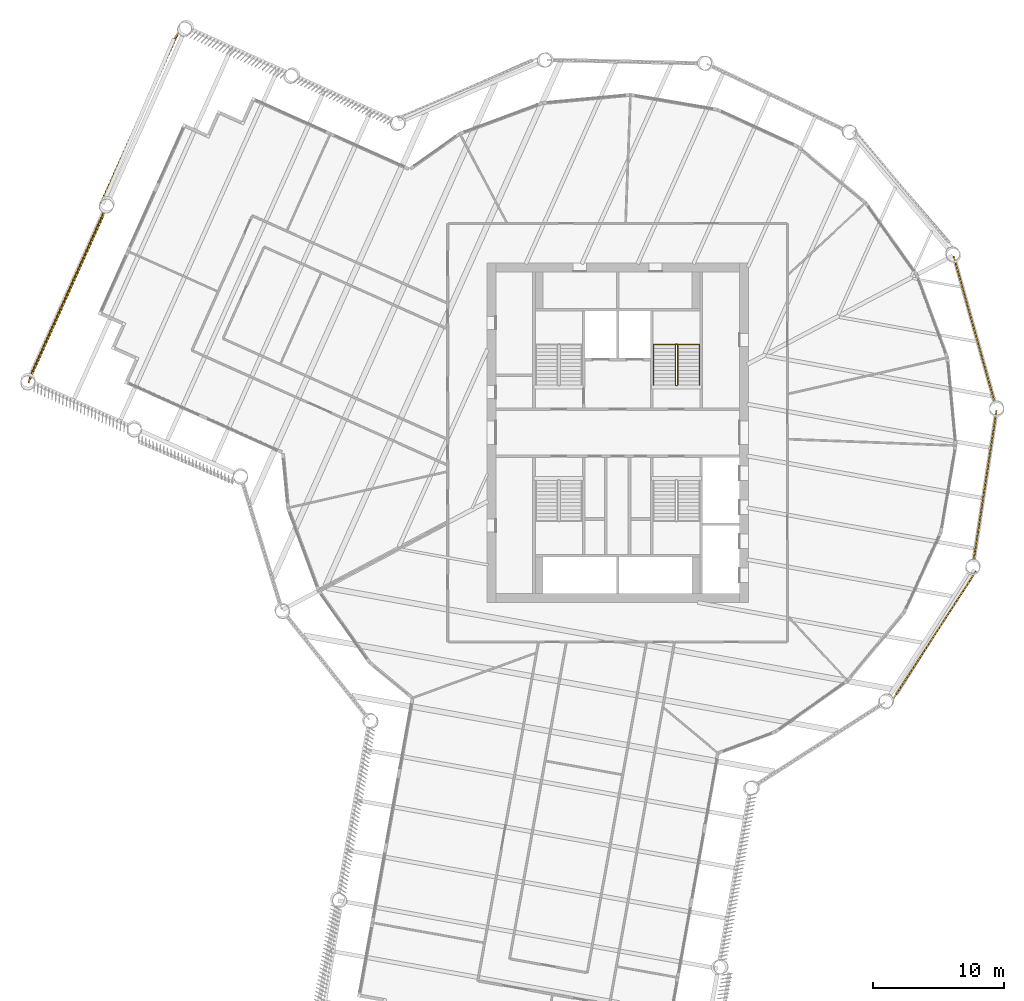
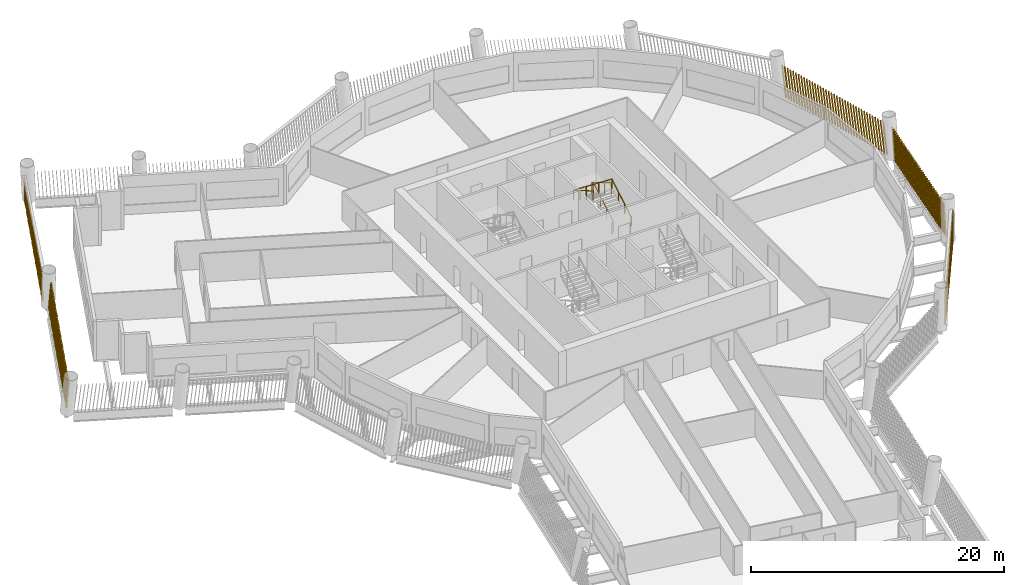
# One storey, part 12 of 14: 5 shading devices, 2 railings.
"""IFC4 building model written with IfcOpenShell, lengths in metres."""

from ifc_helpers import new_model, si_unit, direction, frame, frame_2d, origin, origin_2d, place, context, subcontext, project, spatial, rectangle, circle, composite_profile, extrude, material, type_object, element, save


model = new_model("IFC4")

# Units and contexts
model_context = context("Model", 3, precision=1e-05, world=origin(), true_north=direction((0.0, 1.0)))
body_context = subcontext(model_context, "Body", "Model", "MODEL_VIEW")
ifc_project = project(units=[si_unit("LENGTHUNIT", "METRE"), si_unit("AREAUNIT", "SQUARE_METRE"), si_unit("VOLUMEUNIT", "CUBIC_METRE"), si_unit("PLANEANGLEUNIT", "RADIAN"), si_unit("MASSUNIT", "GRAM", prefix="KILO")], contexts=[model_context])

# Site, building, storey
site_placement = place(None, origin())
site = spatial("IfcSite", under=ifc_project, at=site_placement, CompositionType="ELEMENT")
building_placement = place(site_placement, origin())
building = spatial("IfcBuilding", under=site, at=building_placement, Name="Tarsis Ring Headquarters", CompositionType="ELEMENT")
storey_placement = place(building_placement, frame((0.0, 0.0, 182.699951171875)))
storey = spatial("IfcBuildingStorey", under=building, at=storey_placement, Name="L42", CompositionType="ELEMENT", Elevation=182.699951171875)

# Railings
ifc_material_1 = material(Name="Steel S355", Category="steel")
railing_type_1 = type_object("IfcRailingType", Name="Core stair guard 1100", PredefinedType="GUARDRAIL", material=ifc_material_1)
railing_1_placement = place(storey_placement, frame((4.4599609375, 3.610107421875, 0.0)))
element("IfcRailing", 1, at=railing_1_placement, inside=storey, type_object=railing_type_1, Name="L42 ST2 stair guard 1", PredefinedType="GUARDRAIL", context=body_context, shape_type="SweptSolid", body=[
    extrude(circle(Radius=0.02392578125, at=origin_2d()), frame((0.0, 0.0, 1.076171875), z_axis=(1.0, 0.0, 0.0), x_axis=(0.0, 1.0, 0.0)), (0.0, 0.0, 1.0), 0.080078125),
    extrude(circle(Radius=0.02392578125, at=origin_2d()), frame((0.080078125, 0.0, 1.076171875), z_axis=(0.282336740067, 0.280959487676, 0.917250092119), x_axis=(-0.705375805398, 0.708833529934, 0.0)), (0.0, 0.0, 1.0), 0.17724609375),
    extrude(circle(Radius=0.02392578125, at=origin_2d()), frame((0.130126953125, 0.0498046875, 1.23876953125), z_axis=(0.0, 0.864920483161, 0.501908913857), x_axis=(-1.0, 0.0, 0.0)), (0.0, 0.0, 1.0), 3.56103515625),
    extrude(circle(Radius=0.02392578125, at=origin_2d()), frame((0.130126953125, 3.1298828125, 3.02587890625), z_axis=(-0.707106781187, 0.707106781187, 0.0), x_axis=(-0.707106781187, -0.707106781187, 0.0)), (0.0, 0.0, 1.0), 0.07080078125),
    extrude(circle(Radius=0.02392578125, at=origin_2d()), frame((0.080078125, 3.179931640625, 3.02587890625), z_axis=(-1.0, 0.0, 0.0), x_axis=(0.0, -1.0, 0.0)), (0.0, 0.0, 1.0), 0.080078125),
    extrude(circle(Radius=0.02392578125, at=origin_2d()), frame((0.0, 3.179931640625, 3.02587890625), z_axis=(-0.282227285176, -0.282227285176, 0.916894497205), x_axis=(0.707106781187, -0.707106781187, 0.0)), (0.0, 0.0, 1.0), 0.17724609375),
    extrude(circle(Radius=0.02392578125, at=origin_2d()), frame((-0.050048828125, 3.1298828125, 3.1884765625), z_axis=(0.0, -0.864890721111, 0.501960198159), x_axis=(1.0, 0.0, 0.0)), (0.0, 0.0, 1.0), 3.561279296875),
    extrude(circle(Radius=0.02099609375, at=origin_2d()), origin(), (0.0, 0.0, 1.0), 1.052001953125),
    extrude(circle(Radius=0.02099609375, at=origin_2d()), frame((0.080078125, 0.0, 0.0)), (0.0, 0.0, 1.0), 1.052001953125),
    extrude(circle(Radius=0.02099609375, at=origin_2d()), frame((0.130126953125, 0.0498046875, 0.16259765625)), (0.0, 0.0, 1.0), 1.052001953125),
    extrude(circle(Radius=0.02099609375, at=origin_2d()), frame((0.130126953125, 1.076416015625, 0.75830078125)), (0.0, 0.0, 1.0), 1.052001953125),
    extrude(circle(Radius=0.02099609375, at=origin_2d()), frame((0.130126953125, 2.103271484375, 1.354248046875)), (0.0, 0.0, 1.0), 1.052001953125),
    extrude(circle(Radius=0.02099609375, at=origin_2d()), frame((0.130126953125, 3.1298828125, 1.949951171875)), (0.0, 0.0, 1.0), 1.052001953125),
    extrude(circle(Radius=0.02099609375, at=origin_2d()), frame((0.080078125, 3.179931640625, 1.949951171875)), (0.0, 0.0, 1.0), 1.052001953125),
    extrude(circle(Radius=0.02099609375, at=origin_2d()), frame((0.0, 3.179931640625, 1.949951171875)), (0.0, 0.0, 1.0), 1.052001953125),
    extrude(circle(Radius=0.02099609375, at=origin_2d()), frame((-0.050048828125, 3.1298828125, 2.112548828125)), (0.0, 0.0, 1.0), 1.052001953125),
    extrude(circle(Radius=0.02099609375, at=origin_2d()), frame((-0.050048828125, 2.103271484375, 2.70849609375)), (0.0, 0.0, 1.0), 1.052001953125),
    extrude(circle(Radius=0.02099609375, at=origin_2d()), frame((-0.050048828125, 1.076416015625, 3.30419921875)), (0.0, 0.0, 1.0), 1.052001953125),
    extrude(circle(Radius=0.02099609375, at=origin_2d()), frame((-0.050048828125, 0.0498046875, 3.900146484375)), (0.0, 0.0, 1.0), 1.052001953125),
])
railing_type_2 = type_object("IfcRailingType", Name="Core stair handrail 900", PredefinedType="HANDRAIL", material=ifc_material_1)
railing_2_placement = place(storey_placement, frame((6.25, 3.659912109375, 0.16259765625)))
element("IfcRailing", 2, at=railing_2_placement, inside=storey, type_object=railing_type_2, Name="L42 ST2 stair handrail 1", PredefinedType="HANDRAIL", context=body_context, shape_type="SweptSolid", body=[
    extrude(circle(Radius=0.02392578125, at=origin_2d()), frame((0.0, 0.0, 0.8759765625), z_axis=(0.0, 0.864920483161, 0.501908913857), x_axis=(-1.0, 0.0, 0.0)), (0.0, 0.0, 1.0), 3.56103515625),
    extrude(circle(Radius=0.02392578125, at=origin_2d()), frame((0.0, 3.080078125, 2.6630859375), z_axis=(-0.998922641604, 0.0, 0.046406422943), x_axis=(0.0, -1.0, 0.0)), (0.0, 0.0, 1.0), 3.503662109375),
    extrude(circle(Radius=0.02392578125, at=origin_2d()), frame((-3.5, 3.080078125, 2.82568359375), z_axis=(0.0, -0.864890721111, 0.501960198159), x_axis=(1.0, 0.0, 0.0)), (0.0, 0.0, 1.0), 3.561279296875),
    extrude(circle(Radius=0.02099609375, at=origin_2d()), origin(), (0.0, 0.0, 1.0), 0.851806640625),
    extrude(circle(Radius=0.02099609375, at=origin_2d()), frame((0.0, 1.026611328125, 0.595703125)), (0.0, 0.0, 1.0), 0.851806640625),
    extrude(circle(Radius=0.02099609375, at=origin_2d()), frame((0.0, 2.053466796875, 1.191650390625)), (0.0, 0.0, 1.0), 0.851806640625),
    extrude(circle(Radius=0.02099609375, at=origin_2d()), frame((0.0, 3.080078125, 1.787353515625)), (0.0, 0.0, 1.0), 0.851806640625),
    extrude(circle(Radius=0.02099609375, at=origin_2d()), frame((-1.166748046875, 3.080078125, 1.841552734375)), (0.0, 0.0, 1.0), 0.851806640625),
    extrude(circle(Radius=0.02099609375, at=origin_2d()), frame((-2.333251953125, 3.080078125, 1.895751953125)), (0.0, 0.0, 1.0), 0.851806640625),
    extrude(circle(Radius=0.02099609375, at=origin_2d()), frame((-3.5, 3.080078125, 1.949951171875)), (0.0, 0.0, 1.0), 0.851806640625),
    extrude(circle(Radius=0.02099609375, at=origin_2d()), frame((-3.5, 2.053466796875, 2.5458984375)), (0.0, 0.0, 1.0), 0.851806640625),
    extrude(circle(Radius=0.02099609375, at=origin_2d()), frame((-3.5, 1.026611328125, 3.1416015625)), (0.0, 0.0, 1.0), 0.851806640625),
    extrude(circle(Radius=0.02099609375, at=origin_2d()), frame((-3.5, 0.0, 3.737548828125)), (0.0, 0.0, 1.0), 0.851806640625),
])

# Shading devices
ifc_material_2 = material(Name="Terracotta baguette", Category="masonry")
shading_device_type = type_object("IfcShadingDeviceType", Name="Terracotta baguette screen", PredefinedType="USERDEFINED", material=ifc_material_2)
shading_device_1_placement = place(storey_placement, frame((21.06005859375, -20.392578125, 0.0), z_axis=(0.0, 0.0, 1.0), x_axis=(0.544872490505, 0.838524145415, 0.0)))
element("IfcShadingDevice", 3, at=shading_device_1_placement, inside=storey, type_object=shading_device_type, Name="Baguette screen L42-08", ObjectType="Terracotta baguette screen", PredefinedType="USERDEFINED", context=body_context, shape_type="SweptSolid", body=[
    extrude(composite_profile([rectangle(XDim=0.06005859375, YDim=0.1201171875, at=frame_2d((0.030029296875, 0.0))), rectangle(XDim=0.06005859375, YDim=0.1201171875, at=frame_2d((0.33251953125, 0.0))), rectangle(XDim=0.06005859375, YDim=0.1201171875, at=frame_2d((0.634765625, 0.0))), rectangle(XDim=0.06005859375, YDim=0.1201171875, at=frame_2d((0.937255859375, 0.0))), rectangle(XDim=0.06005859375, YDim=0.1201171875, at=frame_2d((1.239501953125, 0.0))), rectangle(XDim=0.06005859375, YDim=0.1201171875, at=frame_2d((1.5419921875, 0.0))), rectangle(XDim=0.06005859375, YDim=0.1201171875, at=frame_2d((1.844482421875, 0.0))), rectangle(XDim=0.06005859375, YDim=0.1201171875, at=frame_2d((2.146728515625, 0.0))), rectangle(XDim=0.06005859375, YDim=0.1201171875, at=frame_2d((2.44921875, 0.0))), rectangle(XDim=0.06005859375, YDim=0.1201171875, at=frame_2d((2.751708984375, 0.0))), rectangle(XDim=0.06005859375, YDim=0.1201171875, at=frame_2d((3.053955078125, 0.0))), rectangle(XDim=0.06005859375, YDim=0.1201171875, at=frame_2d((3.3564453125, 0.0))), rectangle(XDim=0.06005859375, YDim=0.1201171875, at=frame_2d((3.65869140625, 0.0))), rectangle(XDim=0.06005859375, YDim=0.1201171875, at=frame_2d((3.961181640625, 0.0))), rectangle(XDim=0.06005859375, YDim=0.1201171875, at=frame_2d((4.263671875, 0.0))), rectangle(XDim=0.06005859375, YDim=0.1201171875, at=frame_2d((4.56591796875, 0.0))), rectangle(XDim=0.06005859375, YDim=0.1201171875, at=frame_2d((4.868408203125, 0.0))), rectangle(XDim=0.06005859375, YDim=0.1201171875, at=frame_2d((5.1708984375, 0.0))), rectangle(XDim=0.06005859375, YDim=0.1201171875, at=frame_2d((5.47314453125, 0.0))), rectangle(XDim=0.06005859375, YDim=0.1201171875, at=frame_2d((5.775634765625, 0.0))), rectangle(XDim=0.06005859375, YDim=0.1201171875, at=frame_2d((6.077880859375, 0.0))), rectangle(XDim=0.06005859375, YDim=0.1201171875, at=frame_2d((6.38037109375, 0.0))), rectangle(XDim=0.06005859375, YDim=0.1201171875, at=frame_2d((6.682861328125, 0.0))), rectangle(XDim=0.06005859375, YDim=0.1201171875, at=frame_2d((6.985107421875, 0.0))), rectangle(XDim=0.06005859375, YDim=0.1201171875, at=frame_2d((7.28759765625, 0.0))), rectangle(XDim=0.06005859375, YDim=0.1201171875, at=frame_2d((7.590087890625, 0.0))), rectangle(XDim=0.06005859375, YDim=0.1201171875, at=frame_2d((7.892333984375, 0.0))), rectangle(XDim=0.06005859375, YDim=0.1201171875, at=frame_2d((8.19482421875, 0.0))), rectangle(XDim=0.06005859375, YDim=0.1201171875, at=frame_2d((8.4970703125, 0.0))), rectangle(XDim=0.06005859375, YDim=0.1201171875, at=frame_2d((8.799560546875, 0.0))), rectangle(XDim=0.06005859375, YDim=0.1201171875, at=frame_2d((9.10205078125, 0.0))), rectangle(XDim=0.06005859375, YDim=0.1201171875, at=frame_2d((9.404296875, 0.0))), rectangle(XDim=0.06005859375, YDim=0.1201171875, at=frame_2d((9.706787109375, 0.0))), rectangle(XDim=0.06005859375, YDim=0.1201171875, at=frame_2d((10.00927734375, 0.0))), rectangle(XDim=0.06005859375, YDim=0.1201171875, at=frame_2d((10.3115234375, 0.0))), rectangle(XDim=0.06005859375, YDim=0.1201171875, at=frame_2d((10.614013671875, 0.0))), rectangle(XDim=0.06005859375, YDim=0.1201171875, at=frame_2d((10.916259765625, 0.0))), rectangle(XDim=0.06005859375, YDim=0.1201171875, at=frame_2d((11.21875, 0.0)))]), origin(), (0.151425716796, 0.001188090897, 0.988467926001), 2.984375),
])
shading_device_2_placement = place(storey_placement, frame((27.22265625, -9.84228515625, 0.0), z_axis=(0.0, 0.0, 1.0), x_axis=(0.150797612588, 0.988562126967, 0.0)))
element("IfcShadingDevice", 4, at=shading_device_2_placement, inside=storey, type_object=shading_device_type, Name="Baguette screen L42-09", ObjectType="Terracotta baguette screen", PredefinedType="USERDEFINED", context=body_context, shape_type="SweptSolid", body=[
    extrude(composite_profile([rectangle(XDim=0.06005859375, YDim=0.1201171875, at=frame_2d((0.030029296875, 0.0))), rectangle(XDim=0.06005859375, YDim=0.1201171875, at=frame_2d((0.33251953125, 0.0))), rectangle(XDim=0.06005859375, YDim=0.1201171875, at=frame_2d((0.634765625, 0.0))), rectangle(XDim=0.06005859375, YDim=0.1201171875, at=frame_2d((0.937255859375, 0.0))), rectangle(XDim=0.06005859375, YDim=0.1201171875, at=frame_2d((1.239501953125, 0.0))), rectangle(XDim=0.06005859375, YDim=0.1201171875, at=frame_2d((1.5419921875, 0.0))), rectangle(XDim=0.06005859375, YDim=0.1201171875, at=frame_2d((1.844482421875, 0.0))), rectangle(XDim=0.06005859375, YDim=0.1201171875, at=frame_2d((2.146728515625, 0.0))), rectangle(XDim=0.06005859375, YDim=0.1201171875, at=frame_2d((2.44921875, 0.0))), rectangle(XDim=0.06005859375, YDim=0.1201171875, at=frame_2d((2.751708984375, 0.0))), rectangle(XDim=0.06005859375, YDim=0.1201171875, at=frame_2d((3.053955078125, 0.0))), rectangle(XDim=0.06005859375, YDim=0.1201171875, at=frame_2d((3.3564453125, 0.0))), rectangle(XDim=0.06005859375, YDim=0.1201171875, at=frame_2d((3.65869140625, 0.0))), rectangle(XDim=0.06005859375, YDim=0.1201171875, at=frame_2d((3.961181640625, 0.0))), rectangle(XDim=0.06005859375, YDim=0.1201171875, at=frame_2d((4.263671875, 0.0))), rectangle(XDim=0.06005859375, YDim=0.1201171875, at=frame_2d((4.56591796875, 0.0))), rectangle(XDim=0.06005859375, YDim=0.1201171875, at=frame_2d((4.868408203125, 0.0))), rectangle(XDim=0.06005859375, YDim=0.1201171875, at=frame_2d((5.1708984375, 0.0))), rectangle(XDim=0.06005859375, YDim=0.1201171875, at=frame_2d((5.47314453125, 0.0))), rectangle(XDim=0.06005859375, YDim=0.1201171875, at=frame_2d((5.775634765625, 0.0))), rectangle(XDim=0.06005859375, YDim=0.1201171875, at=frame_2d((6.077880859375, 0.0))), rectangle(XDim=0.06005859375, YDim=0.1201171875, at=frame_2d((6.38037109375, 0.0))), rectangle(XDim=0.06005859375, YDim=0.1201171875, at=frame_2d((6.682861328125, 0.0))), rectangle(XDim=0.06005859375, YDim=0.1201171875, at=frame_2d((6.985107421875, 0.0))), rectangle(XDim=0.06005859375, YDim=0.1201171875, at=frame_2d((7.28759765625, 0.0))), rectangle(XDim=0.06005859375, YDim=0.1201171875, at=frame_2d((7.590087890625, 0.0))), rectangle(XDim=0.06005859375, YDim=0.1201171875, at=frame_2d((7.892333984375, 0.0))), rectangle(XDim=0.06005859375, YDim=0.1201171875, at=frame_2d((8.19482421875, 0.0))), rectangle(XDim=0.06005859375, YDim=0.1201171875, at=frame_2d((8.4970703125, 0.0))), rectangle(XDim=0.06005859375, YDim=0.1201171875, at=frame_2d((8.799560546875, 0.0))), rectangle(XDim=0.06005859375, YDim=0.1201171875, at=frame_2d((9.10205078125, 0.0))), rectangle(XDim=0.06005859375, YDim=0.1201171875, at=frame_2d((9.404296875, 0.0))), rectangle(XDim=0.06005859375, YDim=0.1201171875, at=frame_2d((9.706787109375, 0.0))), rectangle(XDim=0.06005859375, YDim=0.1201171875, at=frame_2d((10.00927734375, 0.0))), rectangle(XDim=0.06005859375, YDim=0.1201171875, at=frame_2d((10.3115234375, 0.0))), rectangle(XDim=0.06005859375, YDim=0.1201171875, at=frame_2d((10.614013671875, 0.0))), rectangle(XDim=0.06005859375, YDim=0.1201171875, at=frame_2d((10.916259765625, 0.0))), rectangle(XDim=0.06005859375, YDim=0.1201171875, at=frame_2d((11.21875, 0.0)))]), origin(), (0.149495435608, 0.001172653401, 0.988761720343), 2.9833984375),
])
shading_device_3_placement = place(storey_placement, frame((28.859375, 2.25341796875, 0.0), z_axis=(0.0, 0.0, 1.0), x_axis=(-0.27007552739, 0.962843996875, 0.0)))
element("IfcShadingDevice", 5, at=shading_device_3_placement, inside=storey, type_object=shading_device_type, Name="Baguette screen L42-10", ObjectType="Terracotta baguette screen", PredefinedType="USERDEFINED", context=body_context, shape_type="SweptSolid", body=[
    extrude(composite_profile([rectangle(XDim=0.06005859375, YDim=0.1201171875, at=frame_2d((0.030029296875, 0.0))), rectangle(XDim=0.06005859375, YDim=0.1201171875, at=frame_2d((0.33251953125, 0.0))), rectangle(XDim=0.06005859375, YDim=0.1201171875, at=frame_2d((0.634765625, 0.0))), rectangle(XDim=0.06005859375, YDim=0.1201171875, at=frame_2d((0.937255859375, 0.0))), rectangle(XDim=0.06005859375, YDim=0.1201171875, at=frame_2d((1.239501953125, 0.0))), rectangle(XDim=0.06005859375, YDim=0.1201171875, at=frame_2d((1.5419921875, 0.0))), rectangle(XDim=0.06005859375, YDim=0.1201171875, at=frame_2d((1.844482421875, 0.0))), rectangle(XDim=0.06005859375, YDim=0.1201171875, at=frame_2d((2.146728515625, 0.0))), rectangle(XDim=0.06005859375, YDim=0.1201171875, at=frame_2d((2.44921875, 0.0))), rectangle(XDim=0.06005859375, YDim=0.1201171875, at=frame_2d((2.751708984375, 0.0))), rectangle(XDim=0.06005859375, YDim=0.1201171875, at=frame_2d((3.053955078125, 0.0))), rectangle(XDim=0.06005859375, YDim=0.1201171875, at=frame_2d((3.3564453125, 0.0))), rectangle(XDim=0.06005859375, YDim=0.1201171875, at=frame_2d((3.65869140625, 0.0))), rectangle(XDim=0.06005859375, YDim=0.1201171875, at=frame_2d((3.961181640625, 0.0))), rectangle(XDim=0.06005859375, YDim=0.1201171875, at=frame_2d((4.263671875, 0.0))), rectangle(XDim=0.06005859375, YDim=0.1201171875, at=frame_2d((4.56591796875, 0.0))), rectangle(XDim=0.06005859375, YDim=0.1201171875, at=frame_2d((4.868408203125, 0.0))), rectangle(XDim=0.06005859375, YDim=0.1201171875, at=frame_2d((5.1708984375, 0.0))), rectangle(XDim=0.06005859375, YDim=0.1201171875, at=frame_2d((5.47314453125, 0.0))), rectangle(XDim=0.06005859375, YDim=0.1201171875, at=frame_2d((5.775634765625, 0.0))), rectangle(XDim=0.06005859375, YDim=0.1201171875, at=frame_2d((6.077880859375, 0.0))), rectangle(XDim=0.06005859375, YDim=0.1201171875, at=frame_2d((6.38037109375, 0.0))), rectangle(XDim=0.06005859375, YDim=0.1201171875, at=frame_2d((6.682861328125, 0.0))), rectangle(XDim=0.06005859375, YDim=0.1201171875, at=frame_2d((6.985107421875, 0.0))), rectangle(XDim=0.06005859375, YDim=0.1201171875, at=frame_2d((7.28759765625, 0.0))), rectangle(XDim=0.06005859375, YDim=0.1201171875, at=frame_2d((7.590087890625, 0.0))), rectangle(XDim=0.06005859375, YDim=0.1201171875, at=frame_2d((7.892333984375, 0.0))), rectangle(XDim=0.06005859375, YDim=0.1201171875, at=frame_2d((8.19482421875, 0.0))), rectangle(XDim=0.06005859375, YDim=0.1201171875, at=frame_2d((8.4970703125, 0.0))), rectangle(XDim=0.06005859375, YDim=0.1201171875, at=frame_2d((8.799560546875, 0.0))), rectangle(XDim=0.06005859375, YDim=0.1201171875, at=frame_2d((9.10205078125, 0.0))), rectangle(XDim=0.06005859375, YDim=0.1201171875, at=frame_2d((9.404296875, 0.0))), rectangle(XDim=0.06005859375, YDim=0.1201171875, at=frame_2d((9.706787109375, 0.0))), rectangle(XDim=0.06005859375, YDim=0.1201171875, at=frame_2d((10.00927734375, 0.0))), rectangle(XDim=0.06005859375, YDim=0.1201171875, at=frame_2d((10.3115234375, 0.0))), rectangle(XDim=0.06005859375, YDim=0.1201171875, at=frame_2d((10.614013671875, 0.0))), rectangle(XDim=0.06005859375, YDim=0.1201171875, at=frame_2d((10.916259765625, 0.0))), rectangle(XDim=0.06005859375, YDim=0.1201171875, at=frame_2d((11.21875, 0.0)))]), origin(), (0.149496349884, 0.001174259857, 0.988761580203), 2.9833984375),
])
shading_device_4_placement = place(storey_placement, frame((-33.540283203125, 30.71826171875, 0.0), z_axis=(0.0, 0.0, 1.0), x_axis=(-0.409295166655, -0.91240888826, 0.0)))
element("IfcShadingDevice", 6, at=shading_device_4_placement, inside=storey, type_object=shading_device_type, Name="Baguette screen L42-17", ObjectType="Terracotta baguette screen", PredefinedType="USERDEFINED", context=body_context, shape_type="SweptSolid", body=[
    extrude(composite_profile([rectangle(XDim=0.06005859375, YDim=0.1201171875, at=frame_2d((0.030029296875, 0.0))), rectangle(XDim=0.06005859375, YDim=0.1201171875, at=frame_2d((0.33544921875, 0.0))), rectangle(XDim=0.06005859375, YDim=0.1201171875, at=frame_2d((0.640625, 0.0))), rectangle(XDim=0.06005859375, YDim=0.1201171875, at=frame_2d((0.946044921875, 0.0))), rectangle(XDim=0.06005859375, YDim=0.1201171875, at=frame_2d((1.25146484375, 0.0))), rectangle(XDim=0.06005859375, YDim=0.1201171875, at=frame_2d((1.556640625, 0.0))), rectangle(XDim=0.06005859375, YDim=0.1201171875, at=frame_2d((1.862060546875, 0.0))), rectangle(XDim=0.06005859375, YDim=0.1201171875, at=frame_2d((2.16748046875, 0.0))), rectangle(XDim=0.06005859375, YDim=0.1201171875, at=frame_2d((2.47265625, 0.0))), rectangle(XDim=0.06005859375, YDim=0.1201171875, at=frame_2d((2.778076171875, 0.0))), rectangle(XDim=0.06005859375, YDim=0.1201171875, at=frame_2d((3.08349609375, 0.0))), rectangle(XDim=0.06005859375, YDim=0.1201171875, at=frame_2d((3.388671875, 0.0))), rectangle(XDim=0.06005859375, YDim=0.1201171875, at=frame_2d((3.694091796875, 0.0))), rectangle(XDim=0.06005859375, YDim=0.1201171875, at=frame_2d((3.99951171875, 0.0))), rectangle(XDim=0.06005859375, YDim=0.1201171875, at=frame_2d((4.3046875, 0.0))), rectangle(XDim=0.06005859375, YDim=0.1201171875, at=frame_2d((4.610107421875, 0.0))), rectangle(XDim=0.06005859375, YDim=0.1201171875, at=frame_2d((4.91552734375, 0.0))), rectangle(XDim=0.06005859375, YDim=0.1201171875, at=frame_2d((5.220703125, 0.0))), rectangle(XDim=0.06005859375, YDim=0.1201171875, at=frame_2d((5.526123046875, 0.0))), rectangle(XDim=0.06005859375, YDim=0.1201171875, at=frame_2d((5.83154296875, 0.0))), rectangle(XDim=0.06005859375, YDim=0.1201171875, at=frame_2d((6.13671875, 0.0))), rectangle(XDim=0.06005859375, YDim=0.1201171875, at=frame_2d((6.442138671875, 0.0))), rectangle(XDim=0.06005859375, YDim=0.1201171875, at=frame_2d((6.74755859375, 0.0))), rectangle(XDim=0.06005859375, YDim=0.1201171875, at=frame_2d((7.052734375, 0.0))), rectangle(XDim=0.06005859375, YDim=0.1201171875, at=frame_2d((7.358154296875, 0.0))), rectangle(XDim=0.06005859375, YDim=0.1201171875, at=frame_2d((7.66357421875, 0.0))), rectangle(XDim=0.06005859375, YDim=0.1201171875, at=frame_2d((7.96875, 0.0))), rectangle(XDim=0.06005859375, YDim=0.1201171875, at=frame_2d((8.274169921875, 0.0))), rectangle(XDim=0.06005859375, YDim=0.1201171875, at=frame_2d((8.57958984375, 0.0))), rectangle(XDim=0.06005859375, YDim=0.1201171875, at=frame_2d((8.884765625, 0.0))), rectangle(XDim=0.06005859375, YDim=0.1201171875, at=frame_2d((9.190185546875, 0.0))), rectangle(XDim=0.06005859375, YDim=0.1201171875, at=frame_2d((9.49560546875, 0.0))), rectangle(XDim=0.06005859375, YDim=0.1201171875, at=frame_2d((9.80078125, 0.0))), rectangle(XDim=0.06005859375, YDim=0.1201171875, at=frame_2d((10.106201171875, 0.0))), rectangle(XDim=0.06005859375, YDim=0.1201171875, at=frame_2d((10.41162109375, 0.0))), rectangle(XDim=0.06005859375, YDim=0.1201171875, at=frame_2d((10.716796875, 0.0))), rectangle(XDim=0.06005859375, YDim=0.1201171875, at=frame_2d((11.022216796875, 0.0))), rectangle(XDim=0.06005859375, YDim=0.1201171875, at=frame_2d((11.32763671875, 0.0))), rectangle(XDim=0.06005859375, YDim=0.1201171875, at=frame_2d((11.6328125, 0.0))), rectangle(XDim=0.06005859375, YDim=0.1201171875, at=frame_2d((11.938232421875, 0.0))), rectangle(XDim=0.06005859375, YDim=0.1201171875, at=frame_2d((12.24365234375, 0.0))), rectangle(XDim=0.06005859375, YDim=0.1201171875, at=frame_2d((12.548828125, 0.0))), rectangle(XDim=0.06005859375, YDim=0.1201171875, at=frame_2d((12.854248046875, 0.0))), rectangle(XDim=0.06005859375, YDim=0.1201171875, at=frame_2d((13.15966796875, 0.0))), rectangle(XDim=0.06005859375, YDim=0.1201171875, at=frame_2d((13.46484375, 0.0))), rectangle(XDim=0.06005859375, YDim=0.1201171875, at=frame_2d((13.770263671875, 0.0)))]), origin(), (0.224183050249, -0.036612222291, 0.973859078697), 3.029052734375),
])
shading_device_5_placement = place(storey_placement, frame((-39.255615234375, 17.061279296875, 0.0), z_axis=(0.0, 0.0, 1.0), x_axis=(-0.409287925697, -0.912410437859, 0.0)))
element("IfcShadingDevice", 7, at=shading_device_5_placement, inside=storey, type_object=shading_device_type, Name="Baguette screen L42-18", ObjectType="Terracotta baguette screen", PredefinedType="USERDEFINED", context=body_context, shape_type="SweptSolid", body=[
    extrude(composite_profile([rectangle(XDim=0.06005859375, YDim=0.1201171875, at=frame_2d((0.030029296875, 0.0))), rectangle(XDim=0.06005859375, YDim=0.1201171875, at=frame_2d((0.33544921875, 0.0))), rectangle(XDim=0.06005859375, YDim=0.1201171875, at=frame_2d((0.640625, 0.0))), rectangle(XDim=0.06005859375, YDim=0.1201171875, at=frame_2d((0.946044921875, 0.0))), rectangle(XDim=0.06005859375, YDim=0.1201171875, at=frame_2d((1.25146484375, 0.0))), rectangle(XDim=0.06005859375, YDim=0.1201171875, at=frame_2d((1.556640625, 0.0))), rectangle(XDim=0.06005859375, YDim=0.1201171875, at=frame_2d((1.862060546875, 0.0))), rectangle(XDim=0.06005859375, YDim=0.1201171875, at=frame_2d((2.16748046875, 0.0))), rectangle(XDim=0.06005859375, YDim=0.1201171875, at=frame_2d((2.47265625, 0.0))), rectangle(XDim=0.06005859375, YDim=0.1201171875, at=frame_2d((2.778076171875, 0.0))), rectangle(XDim=0.06005859375, YDim=0.1201171875, at=frame_2d((3.08349609375, 0.0))), rectangle(XDim=0.06005859375, YDim=0.1201171875, at=frame_2d((3.388671875, 0.0))), rectangle(XDim=0.06005859375, YDim=0.1201171875, at=frame_2d((3.694091796875, 0.0))), rectangle(XDim=0.06005859375, YDim=0.1201171875, at=frame_2d((3.99951171875, 0.0))), rectangle(XDim=0.06005859375, YDim=0.1201171875, at=frame_2d((4.3046875, 0.0))), rectangle(XDim=0.06005859375, YDim=0.1201171875, at=frame_2d((4.610107421875, 0.0))), rectangle(XDim=0.06005859375, YDim=0.1201171875, at=frame_2d((4.91552734375, 0.0))), rectangle(XDim=0.06005859375, YDim=0.1201171875, at=frame_2d((5.220703125, 0.0))), rectangle(XDim=0.06005859375, YDim=0.1201171875, at=frame_2d((5.526123046875, 0.0))), rectangle(XDim=0.06005859375, YDim=0.1201171875, at=frame_2d((5.83154296875, 0.0))), rectangle(XDim=0.06005859375, YDim=0.1201171875, at=frame_2d((6.13671875, 0.0))), rectangle(XDim=0.06005859375, YDim=0.1201171875, at=frame_2d((6.442138671875, 0.0))), rectangle(XDim=0.06005859375, YDim=0.1201171875, at=frame_2d((6.74755859375, 0.0))), rectangle(XDim=0.06005859375, YDim=0.1201171875, at=frame_2d((7.052734375, 0.0))), rectangle(XDim=0.06005859375, YDim=0.1201171875, at=frame_2d((7.358154296875, 0.0))), rectangle(XDim=0.06005859375, YDim=0.1201171875, at=frame_2d((7.66357421875, 0.0))), rectangle(XDim=0.06005859375, YDim=0.1201171875, at=frame_2d((7.96875, 0.0))), rectangle(XDim=0.06005859375, YDim=0.1201171875, at=frame_2d((8.274169921875, 0.0))), rectangle(XDim=0.06005859375, YDim=0.1201171875, at=frame_2d((8.57958984375, 0.0))), rectangle(XDim=0.06005859375, YDim=0.1201171875, at=frame_2d((8.884765625, 0.0))), rectangle(XDim=0.06005859375, YDim=0.1201171875, at=frame_2d((9.190185546875, 0.0))), rectangle(XDim=0.06005859375, YDim=0.1201171875, at=frame_2d((9.49560546875, 0.0))), rectangle(XDim=0.06005859375, YDim=0.1201171875, at=frame_2d((9.80078125, 0.0))), rectangle(XDim=0.06005859375, YDim=0.1201171875, at=frame_2d((10.106201171875, 0.0))), rectangle(XDim=0.06005859375, YDim=0.1201171875, at=frame_2d((10.41162109375, 0.0))), rectangle(XDim=0.06005859375, YDim=0.1201171875, at=frame_2d((10.716796875, 0.0))), rectangle(XDim=0.06005859375, YDim=0.1201171875, at=frame_2d((11.022216796875, 0.0))), rectangle(XDim=0.06005859375, YDim=0.1201171875, at=frame_2d((11.32763671875, 0.0))), rectangle(XDim=0.06005859375, YDim=0.1201171875, at=frame_2d((11.6328125, 0.0))), rectangle(XDim=0.06005859375, YDim=0.1201171875, at=frame_2d((11.938232421875, 0.0))), rectangle(XDim=0.06005859375, YDim=0.1201171875, at=frame_2d((12.24365234375, 0.0))), rectangle(XDim=0.06005859375, YDim=0.1201171875, at=frame_2d((12.548828125, 0.0))), rectangle(XDim=0.06005859375, YDim=0.1201171875, at=frame_2d((12.854248046875, 0.0))), rectangle(XDim=0.06005859375, YDim=0.1201171875, at=frame_2d((13.15966796875, 0.0))), rectangle(XDim=0.06005859375, YDim=0.1201171875, at=frame_2d((13.46484375, 0.0))), rectangle(XDim=0.06005859375, YDim=0.1201171875, at=frame_2d((13.770263671875, 0.0)))]), origin(), (0.22173137389, 0.040132709745, 0.974281562712), 3.02783203125),
])

save(model, "model.ifc")
